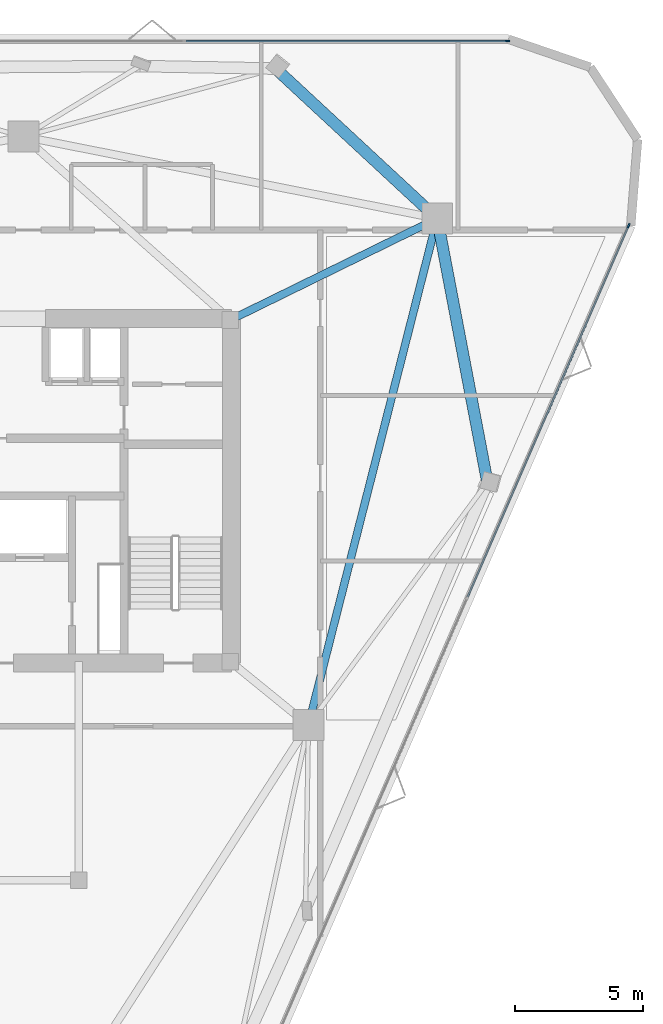
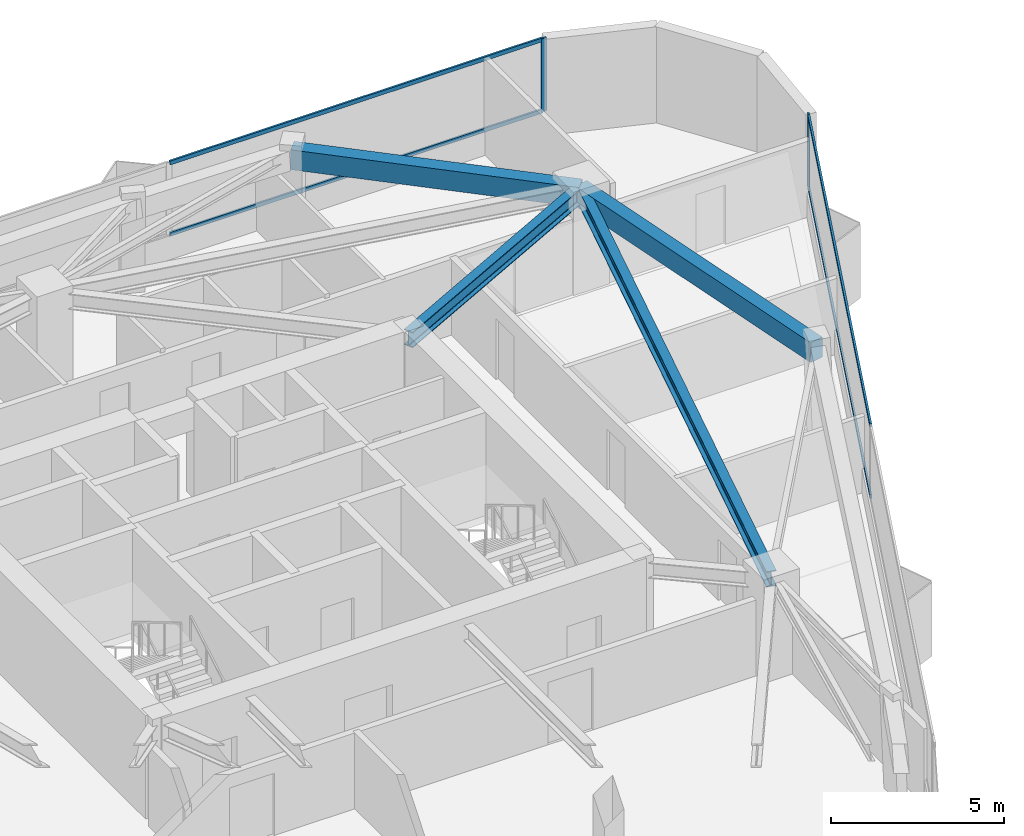
# One storey, part 7 of 11: 6 members, 4 beams, 2 elements without a shape of their own.
"""IFC4 building model written with IfcOpenShell, lengths in metres."""

import ifcopenshell
import ifcopenshell.guid

model = None  # the IFC model being written
_history = None  # IfcOwnerHistory: only IFC2X3 demands one
_inside = {}  # id of a spatial element -> (the spatial element, [elements in it])
_under = {}  # id of a project, library or spatial element -> (it, [spatial elements below it])
_declared = {}  # id of a project -> (the project, [libraries it declares])
_typed = {}  # id of a type object -> (the type object, [elements of that type])
_made_of = {}  # id of a material, layer set ... -> (it, [elements and type objects made of it])


def new_model(schema):
    """Start an empty IFC model of exactly this schema.

    Asked for "IFC4X3", IfcOpenShell would pick the latest addendum, in which some entities
    have other attributes; the version numbers below select the first issue.
    IFC2X3 requires an IfcOwnerHistory on every rooted entity: one is made here for all.
    """
    global model, _history
    if schema == "IFC4X3":
        model = ifcopenshell.file(schema_version=(4, 3, 0, 0))
    else:
        model = ifcopenshell.file(schema=schema)
    _inside.clear()
    _under.clear()
    _declared.clear()
    _typed.clear()
    _made_of.clear()
    _history = None
    if model.schema == "IFC2X3":
        org = make("IfcOrganization", Name="unknown")
        user = make(
            "IfcPersonAndOrganization",
            ThePerson=make("IfcPerson", FamilyName="unknown"),
            TheOrganization=org,
        )
        app = make(
            "IfcApplication",
            ApplicationDeveloper=org,
            Version="unknown",
            ApplicationFullName="unknown",
            ApplicationIdentifier="unknown",
        )
        _history = make(
            "IfcOwnerHistory",
            OwningUser=user,
            OwningApplication=app,
            ChangeAction="ADDED",
            CreationDate=0,
        )
    return model


def make(cls, **values):
    """One entity of the class cls with the attributes given. An attribute that is None is left unset."""
    return model.create_entity(
        cls, **{name: value for name, value in values.items() if value is not None}
    )


def rooted(cls, **values):
    """An entity with a GlobalId (a new one), such as an element, a storey or a relation."""
    return make(cls, GlobalId=ifcopenshell.guid.new(), OwnerHistory=_history, **values)


def si_unit(unit_type, name, prefix=None):
    """IfcSIUnit, for example si_unit("LENGTHUNIT", "METRE", prefix="MILLI")."""
    return make("IfcSIUnit", UnitType=unit_type, Prefix=prefix, Name=name)


def assignment(units):
    """IfcUnitAssignment: the units of a project."""
    return None if units is None else make("IfcUnitAssignment", Units=units)


def point(xyz):
    """IfcCartesianPoint."""
    return None if xyz is None else make("IfcCartesianPoint", Coordinates=xyz)


def direction(xyz):
    """IfcDirection."""
    return None if xyz is None else make("IfcDirection", DirectionRatios=xyz)


def frame(location, z_axis=None, x_axis=None):
    """IfcAxis2Placement3D, a coordinate frame: its origin and axes. An axis left out is left unset."""
    return make(
        "IfcAxis2Placement3D",
        Location=point(location),
        Axis=direction(z_axis),
        RefDirection=direction(x_axis),
    )


def frame_2d(location, x_axis=None):
    """IfcAxis2Placement2D, a coordinate frame in the plane: its origin and x axis."""
    return make(
        "IfcAxis2Placement2D", Location=point(location), RefDirection=direction(x_axis)
    )


def origin():
    """The frame at (0, 0, 0) with its axes left unset."""
    return frame((0.0, 0.0, 0.0))


def origin_2d():
    """The frame at (0, 0) in the plane with its x axis left unset."""
    return frame_2d((0.0, 0.0))


def place(relative_to, where):
    """IfcLocalPlacement: puts the frame where relative to a parent placement (None: the world)."""
    return make(
        "IfcLocalPlacement", PlacementRelTo=relative_to, RelativePlacement=where
    )


def context(
    kind, dimensions, precision=None, world=None, true_north=None, identifier=None
):
    """IfcGeometricRepresentationContext, for example the 3D "Model" context."""
    return make(
        "IfcGeometricRepresentationContext",
        ContextIdentifier=identifier,
        ContextType=kind,
        CoordinateSpaceDimension=dimensions,
        Precision=precision,
        WorldCoordinateSystem=world,
        TrueNorth=true_north,
    )


def subcontext(parent, identifier, kind, view, scale=None):
    """IfcGeometricRepresentationSubContext, for example "Body" below "Model"."""
    return make(
        "IfcGeometricRepresentationSubContext",
        ContextIdentifier=identifier,
        ContextType=kind,
        ParentContext=parent,
        TargetScale=scale,
        TargetView=view,
    )


def project(units=None, contexts=None):
    """IfcProject with its units and contexts."""
    return rooted(
        "IfcProject",
        Name="project",
        RepresentationContexts=contexts,
        UnitsInContext=assignment(units),
    )


def spatial(cls, under=None, at=None, **own):
    """A site, building, storey or space (cls), placed at a placement, below another one or the project."""
    s = rooted(cls, ObjectPlacement=at, **own)
    if under is not None:
        _under.setdefault(under.id(), (under, []))[1].append(s)
    return s


def profile(cls, at=None, kind="AREA", **sizes):
    """A parametric profile (cls). Its sizes go by their IFC names, for example OverallWidth=200.0."""
    return make(cls, ProfileType=kind, Position=at, **sizes)


def rectangle(**sizes):
    """IfcRectangleProfileDef."""
    return profile("IfcRectangleProfileDef", **sizes)


def i_section(**sizes):
    """IfcIShapeProfileDef."""
    return profile("IfcIShapeProfileDef", **sizes)


def extrude(swept, where, along, depth):
    """IfcExtrudedAreaSolid: the profile swept, set in the frame where, extruded along a direction by depth."""
    return make(
        "IfcExtrudedAreaSolid",
        SweptArea=swept,
        Position=where,
        ExtrudedDirection=direction(along),
        Depth=depth,
    )


def shape(context_of_items, identifier, shape_type, items):
    """IfcShapeRepresentation: the items that make up one representation, for example the "Body"."""
    return make(
        "IfcShapeRepresentation",
        ContextOfItems=context_of_items,
        RepresentationIdentifier=identifier,
        RepresentationType=shape_type,
        Items=items,
    )


def material(Name=None, Category=None):
    """IfcMaterial."""
    return make("IfcMaterial", Name=Name, Category=Category)


def layer(
    of_material, thickness, ventilated=None, Name=None, Category=None, Priority=None
):
    """IfcMaterialLayer: one layer of a wall or slab, of a material (None: an air gap)."""
    return make(
        "IfcMaterialLayer",
        Material=of_material,
        LayerThickness=thickness,
        IsVentilated=ventilated,
        Name=Name,
        Category=Category,
        Priority=Priority,
    )


def layer_set(layers, Name=None):
    """IfcMaterialLayerSet."""
    return make("IfcMaterialLayerSet", MaterialLayers=layers, LayerSetName=Name)


def material_profile(
    of_material, cross_section, Name=None, Category=None, Priority=None
):
    """IfcMaterialProfile: a cross section and its material."""
    return make(
        "IfcMaterialProfile",
        Name=Name,
        Material=of_material,
        Profile=cross_section,
        Priority=Priority,
        Category=Category,
    )


def profile_set(profiles, Name=None, composite=None):
    """IfcMaterialProfileSet."""
    return make(
        "IfcMaterialProfileSet",
        Name=Name,
        MaterialProfiles=profiles,
        CompositeProfile=composite,
    )


def made_of(thing, what):
    """Note that an element or type object is made of a material, layer set ...; save() writes the relation."""
    if what is not None:
        _made_of.setdefault(what.id(), (what, []))[1].append(thing)
    return thing


def type_object(cls, material=None, **own):
    """A type object (cls), such as IfcWallType, which elements share."""
    return made_of(rooted(cls, **own), material)


def element(
    cls,
    number,
    at=None,
    inside=None,
    cuts=None,
    type_object=None,
    material=None,
    context=None,
    identifier="Body",
    shape_type=None,
    held_by="IfcProductDefinitionShape",
    body=None,
    shapes=None,
    **own,
):
    """One element of the class cls, such as IfcWall. Its Tag is "e" and its number.

    at: its placement. inside: the storey or other place that contains it. cuts: it is an
    opening in that element (IfcRelVoidsElement). A single representation is given by context,
    identifier, shape_type and body (its items); several are given by shapes. held_by: the class
    of the entity that holds the representations. save() writes the other relations.
    """
    e = rooted(cls, Tag="e%d" % number, ObjectPlacement=at, **own)
    if body is not None:
        shapes = [shape(context, identifier, shape_type, body)]
    if shapes is not None:
        e.Representation = make(held_by, Representations=shapes)
    if inside is not None:
        _inside.setdefault(inside.id(), (inside, []))[1].append(e)
    if cuts is not None:
        rooted(
            "IfcRelVoidsElement", RelatingBuildingElement=cuts, RelatedOpeningElement=e
        )
    if type_object is not None:
        _typed.setdefault(type_object.id(), (type_object, []))[1].append(e)
    return made_of(e, material)


def aggregate(whole, parts):
    """IfcRelAggregates: a whole, such as a stair, and the parts it consists of."""
    return rooted("IfcRelAggregates", RelatingObject=whole, RelatedObjects=parts)


def save(model, path):
    """Write the relations noted so far, then the file.

    IfcRelAggregates (storeys below a building ...), IfcRelContainedInSpatialStructure (elements
    in a storey), IfcRelDefinesByType, IfcRelAssociatesMaterial and IfcRelDeclares: one each for
    every whole, place, type object, material and project.
    """
    for whole, parts in _under.values():
        aggregate(whole, parts)
    for where, things in _inside.values():
        rooted(
            "IfcRelContainedInSpatialStructure",
            RelatedElements=things,
            RelatingStructure=where,
        )
    for kind, things in _typed.values():
        rooted("IfcRelDefinesByType", RelatedObjects=things, RelatingType=kind)
    for what, things in _made_of.values():
        rooted("IfcRelAssociatesMaterial", RelatedObjects=things, RelatingMaterial=what)
    for by, libraries in _declared.values():
        rooted("IfcRelDeclares", RelatingContext=by, RelatedDefinitions=libraries)
    model.write(path)


model = new_model("IFC4")

# Units and contexts
model_context = context("Model", 3, precision=1e-05, world=origin(), true_north=direction((0.0, 1.0)))
body_context = subcontext(model_context, "Body", "Model", "MODEL_VIEW")
ifc_project = project(units=[si_unit("LENGTHUNIT", "METRE"), si_unit("AREAUNIT", "SQUARE_METRE"), si_unit("VOLUMEUNIT", "CUBIC_METRE"), si_unit("PLANEANGLEUNIT", "RADIAN"), si_unit("MASSUNIT", "GRAM", prefix="KILO")], contexts=[model_context])

# Site, building, storey
site_placement = place(None, origin())
site = spatial("IfcSite", under=ifc_project, at=site_placement, CompositionType="ELEMENT")
building_placement = place(site_placement, origin())
building = spatial("IfcBuilding", under=site, at=building_placement, Name="Talyreon Biosciences Tower", CompositionType="ELEMENT")
storey_placement = place(building_placement, frame((0.0, 0.0, 235.25)))
storey = spatial("IfcBuildingStorey", under=building, at=storey_placement, Name="L62", CompositionType="ELEMENT", Elevation=235.25)

# Curtain wall, member
ifc_material_1 = material(Name="Thermally broken aluminium and low-E glazing", Category="aluminium")
ifc_layer = layer(ifc_material_1, 0.175048828125)
ifc_layer_set = layer_set([ifc_layer], Name="Thermally broken aluminium and low-E glazing")
curtain_wall_type = type_object("IfcCurtainWallType", Name="CurtainWall_Zone5CompLab", PredefinedType="NOTDEFINED", material=ifc_layer_set)
curtain_wall_1_placement = place(storey_placement, origin())
curtain_wall_1 = element("IfcCurtainWall", 1, at=curtain_wall_1_placement, inside=storey, type_object=curtain_wall_type, Name="L62 Unitised Curtain Wall FCW-L62-04", PredefinedType="NOTDEFINED")
ifc_material_2 = material(Name="Anodised thermally broken aluminium", Category="aluminium")
ifc_material_profile_1 = material_profile(ifc_material_2, rectangle(XDim=0.06494140625, YDim=0.179931640625, at=origin_2d()), Name="ALUM MULLION 65x180")
ifc_profile_set_1 = profile_set([ifc_material_profile_1], Name="Anodised thermally broken aluminium")
member_type_1 = type_object("IfcMemberType", Name="CWMullion_65x180", PredefinedType="MULLION", material=ifc_profile_set_1)
member_1_placement = place(storey_placement, frame((84.836669921875, 85.504638671875, 0.81005859375), z_axis=(0.0, 0.0, 1.0), x_axis=(0.0, 1.0, 0.0)))
member_1 = element("IfcMember", 2, at=member_1_placement, type_object=member_type_1, Name="CW6 mullion 4", PredefinedType="MULLION", context=body_context, shape_type="SweptSolid", body=[
    extrude(rectangle(XDim=0.06494140625, YDim=0.179931640625, at=origin_2d()), origin(), (0.0, 0.0, 1.0), 2.58984375),
])

curtain_wall_2_placement = place(storey_placement, origin())
curtain_wall_2 = element("IfcCurtainWall", 3, at=curtain_wall_2_placement, inside=storey, type_object=curtain_wall_type, Name="L62 Unitised Curtain Wall FCW-L62-08", PredefinedType="NOTDEFINED")
member_2_placement = place(storey_placement, frame((89.5537109375, 78.31787109375, 0.81005859375), z_axis=(0.0, 0.0, 1.0), x_axis=(0.917458244079, -0.397832088162, 0.0)))
member_2 = element("IfcMember", 4, at=member_2_placement, type_object=member_type_1, Name="CW6 mullion 1", PredefinedType="MULLION", context=body_context, shape_type="SweptSolid", body=[
    extrude(rectangle(XDim=0.06494140625, YDim=0.179931640625, at=origin_2d()), origin(), (0.0, 0.0, 1.0), 2.58984375),
])

# Member
ifc_material_profile_2 = material_profile(ifc_material_2, rectangle(XDim=0.06494140625, YDim=0.139892578125, at=origin_2d()), Name="ALUM TRANSOM 65x140")
ifc_profile_set_2 = profile_set([ifc_material_profile_2], Name="Anodised thermally broken aluminium")
member_type_2 = type_object("IfcMemberType", Name="CWTransom_65x140", PredefinedType="USERDEFINED", material=ifc_profile_set_2)
member_3_placement = place(storey_placement, frame((72.322265625, 85.504638671875, 0.842529296875), z_axis=(1.0, 0.0, 0.0), x_axis=(0.0, 1.0, 0.0)))
member_3 = element("IfcMember", 5, at=member_3_placement, type_object=member_type_2, Name="CW6 transom 3.1", ObjectType="TRANSOM", PredefinedType="USERDEFINED", context=body_context, shape_type="SweptSolid", body=[
    extrude(rectangle(XDim=0.06494140625, YDim=0.139892578125, at=origin_2d()), origin(), (0.0, 0.0, 1.0), 12.48193359375),
])

member_4_placement = place(storey_placement, frame((72.322265625, 85.504638671875, 3.367431640625), z_axis=(1.0, 0.0, 0.0), x_axis=(0.0, 1.0, 0.0)))
member_4 = element("IfcMember", 6, at=member_4_placement, type_object=member_type_2, Name="CW6 transom 3.2", ObjectType="TRANSOM", PredefinedType="USERDEFINED", context=body_context, shape_type="SweptSolid", body=[
    extrude(rectangle(XDim=0.06494140625, YDim=0.139892578125, at=origin_2d()), origin(), (0.0, 0.0, 1.0), 12.48193359375),
])

aggregate(curtain_wall_1, [member_1, member_3, member_4])

member_5_placement = place(storey_placement, frame((89.540771484375, 78.2880859375, 0.842529296875), z_axis=(-0.397835044798, -0.917456962004, 0.0), x_axis=(0.917456962004, -0.397835044798, 0.0)))
member_5 = element("IfcMember", 7, at=member_5_placement, type_object=member_type_2, Name="CW6 transom 1.1", ObjectType="TRANSOM", PredefinedType="USERDEFINED", context=body_context, shape_type="SweptSolid", body=[
    extrude(rectangle(XDim=0.06494140625, YDim=0.139892578125, at=origin_2d()), origin(), (0.0, 0.0, 1.0), 15.71240234375),
])

member_6_placement = place(storey_placement, frame((89.540771484375, 78.2880859375, 3.367431640625), z_axis=(-0.397835044798, -0.917456962004, 0.0), x_axis=(0.917456962004, -0.397835044798, 0.0)))
member_6 = element("IfcMember", 8, at=member_6_placement, type_object=member_type_2, Name="CW6 transom 1.2", ObjectType="TRANSOM", PredefinedType="USERDEFINED", context=body_context, shape_type="SweptSolid", body=[
    extrude(rectangle(XDim=0.06494140625, YDim=0.139892578125, at=origin_2d()), origin(), (0.0, 0.0, 1.0), 15.71240234375),
])

aggregate(curtain_wall_2, [member_2, member_5, member_6])

# Beams
ifc_material_3 = material(Name="Precast concrete C45/55", Category="concrete")
ifc_material_profile_3 = material_profile(ifc_material_3, rectangle(XDim=0.449951171875, YDim=0.699951171875, at=origin_2d()), Name="RCB 450x700")
ifc_profile_set_3 = profile_set([ifc_material_profile_3], Name="Precast concrete C45/55")
beam_type_1 = type_object("IfcBeamType", Name="ExpressedSpandrel_450x700", PredefinedType="SPANDREL", material=ifc_profile_set_3)
beam_1_placement = place(storey_placement, frame((84.056396484375, 68.329833984375, 3.050048828125), z_axis=(-0.186940385722, 0.982371259853, 0.0), x_axis=(-0.982371259853, -0.186940385722, 0.0)))
element("IfcBeam", 9, at=beam_1_placement, inside=storey, type_object=beam_type_1, Name="L62 Expressed Horizontal Concrete Spandrel 04", PredefinedType="SPANDREL", context=body_context, shape_type="SweptSolid", body=[
    extrude(rectangle(XDim=0.449951171875, YDim=0.699951171875, at=origin_2d()), origin(), (0.0, 0.0, 1.0), 10.453125),
])
beam_2_placement = place(storey_placement, frame((82.102294921875, 78.5986328125, 3.050048828125), z_axis=(-0.733072106275, 0.680150929575, 0.0), x_axis=(-0.680150929575, -0.733072106275, 0.0)))
element("IfcBeam", 10, at=beam_2_placement, inside=storey, type_object=beam_type_1, Name="L62 Expressed Horizontal Concrete Spandrel 05", PredefinedType="SPANDREL", context=body_context, shape_type="SweptSolid", body=[
    extrude(rectangle(XDim=0.449951171875, YDim=0.699951171875, at=origin_2d()), origin(), (0.0, 0.0, 1.0), 8.580810546875),
])
ifc_material_4 = material(Name="Steel SM355", Category="steel")
ifc_material_profile_4 = material_profile(ifc_material_4, i_section(OverallWidth=0.300048828125, OverallDepth=0.550048828125, WebThickness=0.014892578125, FlangeThickness=0.029052734375, FilletRadius=0.027099609375, at=origin_2d()), Name="HE550B")
ifc_profile_set_4 = profile_set([ifc_material_profile_4], Name="Steel SM355")
beam_type_2 = type_object("IfcBeamType", Name="SteelBeam_HE550B", PredefinedType="BEAM", material=ifc_profile_set_4)
beam_3_placement = place(storey_placement, frame((77.086181640625, 58.88037109375, 3.125), z_axis=(0.246537082299, 0.969133358755, 0.0), x_axis=(-0.969133358755, 0.246537082299, 0.0)))
element("IfcBeam", 11, at=beam_3_placement, inside=storey, type_object=beam_type_2, Name="L62 Mega-Ring Girder 2", PredefinedType="BEAM", context=body_context, shape_type="SweptSolid", body=[
    extrude(i_section(OverallWidth=0.300048828125, OverallDepth=0.550048828125, WebThickness=0.014892578125, FlangeThickness=0.029052734375, FilletRadius=0.027099609375, at=origin_2d()), origin(), (0.0, 0.0, 1.0), 20.34619140625),
])
beam_4_placement = place(storey_placement, frame((74.050048828125, 74.64990234375, 3.125), z_axis=(0.897852360314, 0.440296648952, 0.0), x_axis=(-0.440296648952, 0.897852360314, 0.0)))
element("IfcBeam", 12, at=beam_4_placement, inside=storey, type_object=beam_type_2, Name="L62 Radial Primary Girder 3", PredefinedType="BEAM", context=body_context, shape_type="SweptSolid", body=[
    extrude(i_section(OverallWidth=0.300048828125, OverallDepth=0.550048828125, WebThickness=0.014892578125, FlangeThickness=0.029052734375, FilletRadius=0.027099609375, at=origin_2d()), origin(), (0.0, 0.0, 1.0), 8.96826171875),
])

save(model, "model.ifc")
